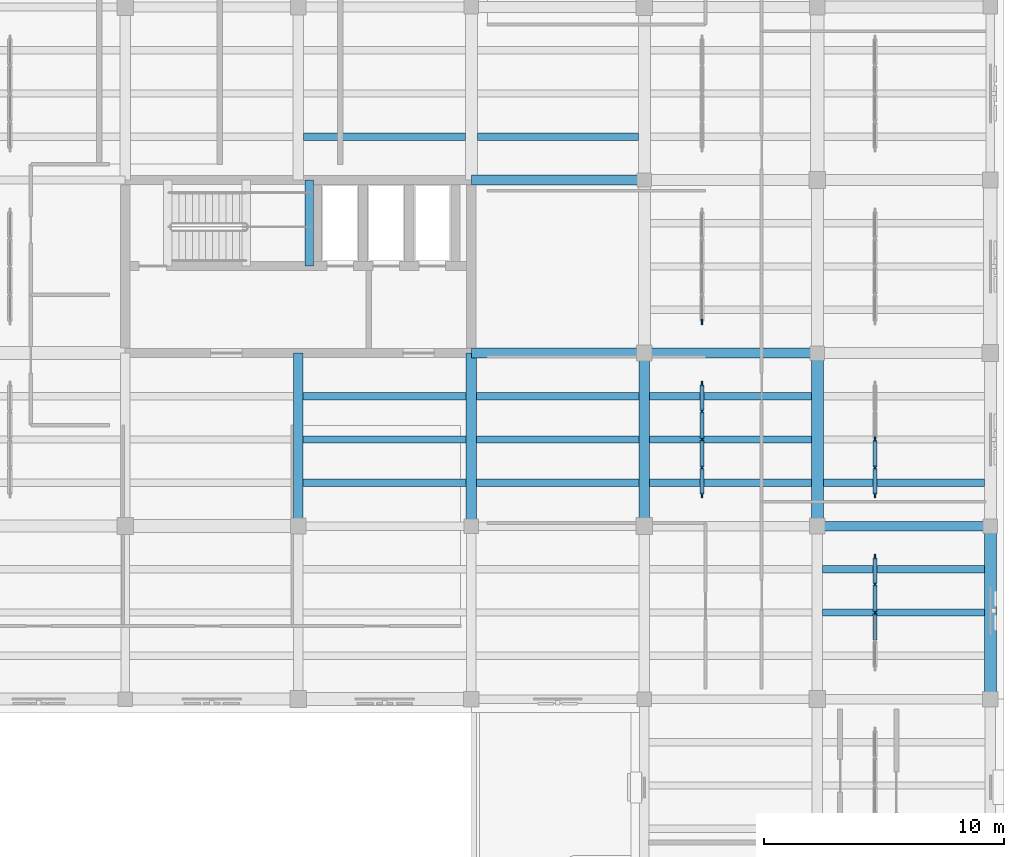
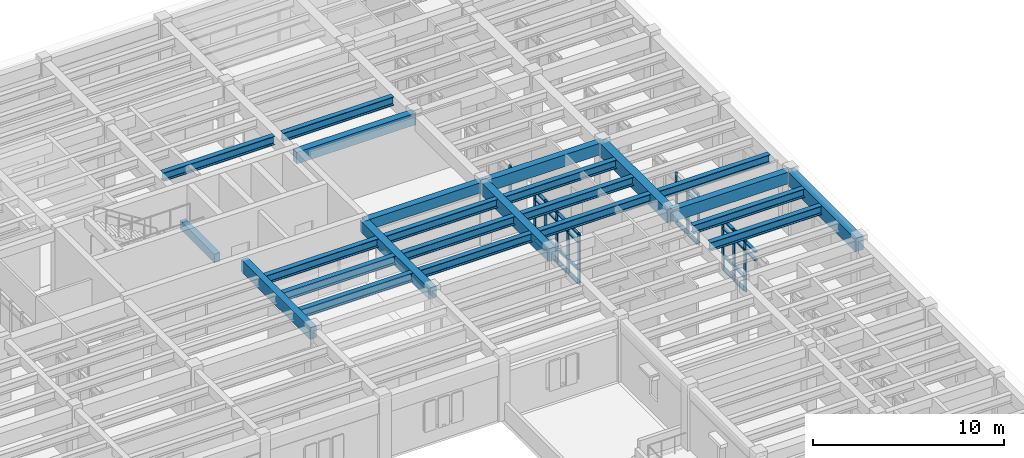
# One storey, part 9 of 40: 45 members, 24 beams, 4 elements without a shape of their own.
"""IFC4 building model written with IfcOpenShell, lengths in metres."""

from ifc_helpers import new_model, si_unit, direction, frame, origin, origin_2d, place, context, subcontext, project, spatial, rectangle, i_section, extrude, material, material_profile, profile_set, type_object, element, aggregate, save


model = new_model("IFC4")

# Units and contexts
model_context = context("Model", 3, precision=1e-05, world=origin(), true_north=direction((0.0, 1.0)))
body_context = subcontext(model_context, "Body", "Model", "MODEL_VIEW")
ifc_project = project(units=[si_unit("LENGTHUNIT", "METRE"), si_unit("AREAUNIT", "SQUARE_METRE"), si_unit("VOLUMEUNIT", "CUBIC_METRE"), si_unit("PLANEANGLEUNIT", "RADIAN"), si_unit("MASSUNIT", "GRAM", prefix="KILO")], contexts=[model_context])

# Site, building, storey
site_placement = place(None, origin())
site = spatial("IfcSite", under=ifc_project, at=site_placement, CompositionType="ELEMENT")
building_placement = place(site_placement, origin())
building = spatial("IfcBuilding", under=site, at=building_placement, Name="Mithqara Police Headquarters", CompositionType="ELEMENT")
storey_placement = place(building_placement, frame((0.0, 0.0, 13.800048828125)))
storey = spatial("IfcBuildingStorey", under=building, at=storey_placement, Name="L03", CompositionType="ELEMENT", Elevation=13.800048828125)

# Beams
ifc_material_1 = material(Name="Steel S355JR", Category="steel")
ifc_material_profile_1 = material_profile(ifc_material_1, i_section(OverallWidth=0.300048828125, OverallDepth=0.550048828125, WebThickness=0.014892578125, FlangeThickness=0.029052734375, FilletRadius=0.027099609375, at=origin_2d()), Name="HEB 550")
ifc_profile_set_1 = profile_set([ifc_material_profile_1], Name="Steel S355JR")
beam_type_1 = type_object("IfcBeamType", Name="BEAM HEB550", PredefinedType="BEAM", material=ifc_profile_set_1)
for number, where, z_axis, x_axis, name in (
    (1, (137.60009765625, 87.60009765625, 3.6650390625), (1.0, 0.0, 0.0), (0.0, 1.0, 0.0), "L03 Composite Steel Joist 20-21/N.1"),
    (2, (137.60009765625, 89.39990234375, 3.6650390625), (1.0, 0.0, 0.0), (0.0, 1.0, 0.0), "L03 Composite Steel Joist 20-21/N.2"),
    (3, (137.60009765625, 91.199951171875, 3.6650390625), (1.0, 0.0, 0.0), (0.0, 1.0, 0.0), "L03 Composite Steel Joist 20-21/N.3"),
):
    element("IfcBeam", number, at=place(storey_placement, frame(where, z_axis=z_axis, x_axis=x_axis)), inside=storey, type_object=beam_type_1, Name=name, PredefinedType="BEAM", context=body_context, shape_type="SweptSolid", body=[
        extrude(i_section(OverallWidth=0.300048828125, OverallDepth=0.550048828125, WebThickness=0.014892578125, FlangeThickness=0.029052734375, FilletRadius=0.027099609375, at=origin_2d()), origin(), (0.0, 0.0, 1.0), 6.77490234375),
    ])
beam_1_placement = place(storey_placement, frame((137.625, 102.0, 3.6650390625), z_axis=(1.0, 0.0, 0.0), x_axis=(0.0, 1.0, 0.0)))
element("IfcBeam", 4, at=beam_1_placement, inside=storey, type_object=beam_type_1, Name="L03 Composite Steel Joist 20-21/Q.1", PredefinedType="BEAM", context=body_context, shape_type="SweptSolid", body=[
    extrude(i_section(OverallWidth=0.300048828125, OverallDepth=0.550048828125, WebThickness=0.014892578125, FlangeThickness=0.029052734375, FilletRadius=0.027099609375, at=origin_2d()), origin(), (0.0, 0.0, 1.0), 6.72509765625),
])
for number, where, z_axis, x_axis, name in (
    (5, (144.824951171875, 87.60009765625, 3.6650390625), (1.0, 0.0, 0.0), (0.0, 1.0, 0.0), "L03 Composite Steel Joist 21-22/N.1"),
    (6, (144.824951171875, 89.39990234375, 3.6650390625), (1.0, 0.0, 0.0), (0.0, 1.0, 0.0), "L03 Composite Steel Joist 21-22/N.2"),
    (7, (144.824951171875, 91.199951171875, 3.6650390625), (1.0, 0.0, 0.0), (0.0, 1.0, 0.0), "L03 Composite Steel Joist 21-22/N.3"),
):
    element("IfcBeam", number, at=place(storey_placement, frame(where, z_axis=z_axis, x_axis=x_axis)), inside=storey, type_object=beam_type_1, Name=name, PredefinedType="BEAM", context=body_context, shape_type="SweptSolid", body=[
        extrude(i_section(OverallWidth=0.300048828125, OverallDepth=0.550048828125, WebThickness=0.014892578125, FlangeThickness=0.029052734375, FilletRadius=0.027099609375, at=origin_2d()), origin(), (0.0, 0.0, 1.0), 6.75),
    ])
beam_2_placement = place(storey_placement, frame((144.85009765625, 102.0, 3.6650390625), z_axis=(1.0, 0.0, 0.0), x_axis=(0.0, 1.0, 0.0)))
element("IfcBeam", 8, at=beam_2_placement, inside=storey, type_object=beam_type_1, Name="L03 Composite Steel Joist 21-22/Q.1", PredefinedType="BEAM", context=body_context, shape_type="SweptSolid", body=[
    extrude(i_section(OverallWidth=0.300048828125, OverallDepth=0.550048828125, WebThickness=0.014892578125, FlangeThickness=0.029052734375, FilletRadius=0.027099609375, at=origin_2d()), origin(), (0.0, 0.0, 1.0), 6.699951171875),
])
for number, where, z_axis, x_axis, name in (
    (9, (152.02490234375, 87.60009765625, 3.6650390625), (1.0, 0.0, 0.0), (0.0, 1.0, 0.0), "L03 Composite Steel Joist 22-23/N.1"),
    (10, (152.02490234375, 89.39990234375, 3.6650390625), (1.0, 0.0, 0.0), (0.0, 1.0, 0.0), "L03 Composite Steel Joist 22-23/N.2"),
    (11, (152.02490234375, 91.199951171875, 3.6650390625), (1.0, 0.0, 0.0), (0.0, 1.0, 0.0), "L03 Composite Steel Joist 22-23/N.3"),
):
    element("IfcBeam", number, at=place(storey_placement, frame(where, z_axis=z_axis, x_axis=x_axis)), inside=storey, type_object=beam_type_1, Name=name, PredefinedType="BEAM", context=body_context, shape_type="SweptSolid", body=[
        extrude(i_section(OverallWidth=0.300048828125, OverallDepth=0.550048828125, WebThickness=0.014892578125, FlangeThickness=0.029052734375, FilletRadius=0.027099609375, at=origin_2d()), origin(), (0.0, 0.0, 1.0), 6.72509765625),
    ])
for number, where, z_axis, x_axis, name in (
    (12, (159.22509765625, 82.199951171875, 3.6650390625), (1.0, 0.0, 0.0), (0.0, 1.0, 0.0), "L03 Composite Steel Joist 23-24/M.2"),
    (13, (159.22509765625, 84.0, 3.6650390625), (1.0, 0.0, 0.0), (0.0, 1.0, 0.0), "L03 Composite Steel Joist 23-24/M.3"),
):
    element("IfcBeam", number, at=place(storey_placement, frame(where, z_axis=z_axis, x_axis=x_axis)), inside=storey, type_object=beam_type_1, Name=name, PredefinedType="BEAM", context=body_context, shape_type="SweptSolid", body=[
        extrude(i_section(OverallWidth=0.300048828125, OverallDepth=0.550048828125, WebThickness=0.014892578125, FlangeThickness=0.029052734375, FilletRadius=0.027099609375, at=origin_2d()), origin(), (0.0, 0.0, 1.0), 6.724853515625),
    ])
beam_3_placement = place(storey_placement, frame((159.25, 87.60009765625, 3.6650390625), z_axis=(1.0, 0.0, 0.0), x_axis=(0.0, 1.0, 0.0)))
element("IfcBeam", 14, at=beam_3_placement, inside=storey, type_object=beam_type_1, Name="L03 Composite Steel Joist 23-24/N.1", PredefinedType="BEAM", context=body_context, shape_type="SweptSolid", body=[
    extrude(i_section(OverallWidth=0.300048828125, OverallDepth=0.550048828125, WebThickness=0.014892578125, FlangeThickness=0.029052734375, FilletRadius=0.027099609375, at=origin_2d()), origin(), (0.0, 0.0, 1.0), 6.699951171875),
])
ifc_material_2 = material(Name="Concrete C40/50", Category="concrete")
ifc_material_profile_2 = material_profile(ifc_material_2, rectangle(XDim=0.35009765625, YDim=0.550048828125, at=origin_2d()), Name="RC 350x550")
ifc_profile_set_2 = profile_set([ifc_material_profile_2], Name="Concrete C40/50")
beam_type_2 = type_object("IfcBeamType", Name="BEAM RC350X550", PredefinedType="BEAM", material=ifc_profile_set_2)
beam_4_placement = place(storey_placement, frame((137.85009765625, 96.6201171875, 1.635009765625), z_axis=(0.0, 1.0, 0.0), x_axis=(-1.0, 0.0, 0.0)))
element("IfcBeam", 15, at=beam_4_placement, inside=storey, type_object=beam_type_2, Name="L03 ST-02 Half-Landing Bearer LB", PredefinedType="BEAM", context=body_context, shape_type="SweptSolid", body=[
    extrude(rectangle(XDim=0.35009765625, YDim=0.550048828125, at=origin_2d()), origin(), (0.0, 0.0, 1.0), 3.579833984375),
])
ifc_material_profile_3 = material_profile(ifc_material_2, rectangle(XDim=0.39990234375, YDim=0.64990234375, at=origin_2d()), Name="RC 400x650")
ifc_profile_set_3 = profile_set([ifc_material_profile_3], Name="Concrete C40/50")
beam_type_3 = type_object("IfcBeamType", Name="BEAM RC400X650", PredefinedType="BEAM", material=ifc_profile_set_3)
beam_5_placement = place(storey_placement, frame((144.60009765625, 93.0, 3.614990234375), z_axis=(1.0, 0.0, 0.0), x_axis=(0.0, 1.0, 0.0)))
element("IfcBeam", 16, at=beam_5_placement, inside=storey, type_object=beam_type_3, Name="L03 Girder 21-22/P", PredefinedType="BEAM", context=body_context, shape_type="SweptSolid", body=[
    extrude(rectangle(XDim=0.39990234375, YDim=0.64990234375, at=origin_2d()), origin(), (0.0, 0.0, 1.0), 7.199951171875),
])
ifc_material_profile_4 = material_profile(ifc_material_2, rectangle(XDim=0.39990234375, YDim=0.75, at=origin_2d()), Name="RC 400x750")
ifc_profile_set_4 = profile_set([ifc_material_profile_4], Name="Concrete C40/50")
beam_type_4 = type_object("IfcBeamType", Name="BEAM RC400X750", PredefinedType="BEAM", material=ifc_profile_set_4)
for number, where, z_axis, x_axis, name in (
    (17, (137.39990234375, 85.800048828125, 3.56494140625), (0.0, 1.0, 0.0), (-1.0, 0.0, 0.0), "L03 Girder 20/N-P"),
    (18, (144.60009765625, 100.199951171875, 3.56494140625), (1.0, 0.0, 0.0), (0.0, 1.0, 0.0), "L03 Girder 21-22/Q"),
    (19, (151.800048828125, 93.0, 3.56494140625), (1.0, 0.0, 0.0), (0.0, 1.0, 0.0), "L03 Girder 22-23/P"),
    (20, (159.0, 85.800048828125, 3.56494140625), (1.0, 0.0, 0.0), (0.0, 1.0, 0.0), "L03 Girder 23-24/N"),
):
    element("IfcBeam", number, at=place(storey_placement, frame(where, z_axis=z_axis, x_axis=x_axis)), inside=storey, type_object=beam_type_4, Name=name, PredefinedType="BEAM", context=body_context, shape_type="SweptSolid", body=[
        extrude(rectangle(XDim=0.39990234375, YDim=0.75, at=origin_2d()), origin(), (0.0, 0.0, 1.0), 7.199951171875),
    ])
ifc_material_profile_5 = material_profile(ifc_material_2, rectangle(XDim=0.449951171875, YDim=0.699951171875, at=origin_2d()), Name="RC 450x700")
ifc_profile_set_5 = profile_set([ifc_material_profile_5], Name="Concrete C40/50")
beam_type_5 = type_object("IfcBeamType", Name="BEAM RC450X700", PredefinedType="BEAM", material=ifc_profile_set_5)
beam_6_placement = place(storey_placement, frame((144.60009765625, 85.800048828125, 3.58984375), z_axis=(0.0, 1.0, 0.0), x_axis=(-1.0, 0.0, 0.0)))
element("IfcBeam", 21, at=beam_6_placement, inside=storey, type_object=beam_type_5, Name="L03 Girder 21/N-P", PredefinedType="BEAM", context=body_context, shape_type="SweptSolid", body=[
    extrude(rectangle(XDim=0.449951171875, YDim=0.699951171875, at=origin_2d()), origin(), (0.0, 0.0, 1.0), 7.199951171875),
])
ifc_material_profile_6 = material_profile(ifc_material_2, rectangle(XDim=0.449951171875, YDim=0.800048828125, at=origin_2d()), Name="RC 450x800")
ifc_profile_set_6 = profile_set([ifc_material_profile_6], Name="Concrete C40/50")
beam_type_6 = type_object("IfcBeamType", Name="BEAM RC450X800", PredefinedType="BEAM", material=ifc_profile_set_6)
beam_7_placement = place(storey_placement, frame((151.800048828125, 85.800048828125, 3.5400390625), z_axis=(0.0, 1.0, 0.0), x_axis=(-1.0, 0.0, 0.0)))
element("IfcBeam", 22, at=beam_7_placement, inside=storey, type_object=beam_type_6, Name="L03 Girder 22/N-P", PredefinedType="BEAM", context=body_context, shape_type="SweptSolid", body=[
    extrude(rectangle(XDim=0.449951171875, YDim=0.800048828125, at=origin_2d()), origin(), (0.0, 0.0, 1.0), 7.199951171875),
])
ifc_material_profile_7 = material_profile(ifc_material_2, rectangle(XDim=0.5, YDim=0.85009765625, at=origin_2d()), Name="RC 500x850")
ifc_profile_set_7 = profile_set([ifc_material_profile_7], Name="Concrete C40/50")
beam_type_7 = type_object("IfcBeamType", Name="BEAM RC500X850", PredefinedType="BEAM", material=ifc_profile_set_7)
for number, where, z_axis, x_axis, name in (
    (23, (159.0, 85.800048828125, 3.514892578125), (0.0, 1.0, 0.0), (-1.0, 0.0, 0.0), "L03 Girder 23/N-P"),
    (24, (166.199951171875, 78.60009765625, 3.514892578125), (0.0, 1.0, 0.0), (-1.0, 0.0, 0.0), "L03 Girder 24/M-N"),
):
    element("IfcBeam", number, at=place(storey_placement, frame(where, z_axis=z_axis, x_axis=x_axis)), inside=storey, type_object=beam_type_7, Name=name, PredefinedType="BEAM", context=body_context, shape_type="SweptSolid", body=[
        extrude(rectangle(XDim=0.5, YDim=0.85009765625, at=origin_2d()), origin(), (0.0, 0.0, 1.0), 7.199951171875),
    ])

# Curtain wall, members
ifc_material_3 = material(Name="Bronze anodised aluminium 6063-T6", Category="aluminium")
curtain_wall_type = type_object("IfcCurtainWallType", Name="CURTAIN WALL 4700X3220", PredefinedType="USERDEFINED", material=ifc_material_3)
curtain_wall_1_placement = place(storey_placement, origin())
curtain_wall_1 = element("IfcCurtainWall", 25, at=curtain_wall_1_placement, inside=storey, type_object=curtain_wall_type, Name="L03 Unitised Glazing CW-16 (CW-INT-L03-X21-Y12-0)", ObjectType="UNITISED GLAZING", PredefinedType="USERDEFINED")
ifc_material_profile_8 = material_profile(ifc_material_3, rectangle(XDim=0.074951171875, YDim=0.219970703125, at=origin_2d()), Name="CWM 75x220")
ifc_profile_set_8 = profile_set([ifc_material_profile_8], Name="Bronze anodised aluminium 6063-T6")
member_type_1 = type_object("IfcMemberType", Name="CWMULLION 75X220", PredefinedType="MULLION", material=ifc_profile_set_8)
member_1_placement = place(storey_placement, frame((154.199951171875, 87.08740234375, 0.0), z_axis=(0.0, 0.0, 1.0), x_axis=(-1.0, 0.0, 0.0)))
member_1 = element("IfcMember", 26, at=member_1_placement, type_object=member_type_1, Name="CW-16 mullion 1", PredefinedType="MULLION", context=body_context, shape_type="SweptSolid", body=[
    extrude(rectangle(XDim=0.074951171875, YDim=0.219970703125, at=origin_2d()), origin(), (0.0, 0.0, 1.0), 3.219970703125),
])
member_2_placement = place(storey_placement, frame((154.199951171875, 88.22509765625, 0.0), z_axis=(0.0, 0.0, 1.0), x_axis=(-1.0, 0.0, 0.0)))
member_2 = element("IfcMember", 27, at=member_2_placement, type_object=member_type_1, Name="CW-16 mullion 2", PredefinedType="MULLION", context=body_context, shape_type="SweptSolid", body=[
    extrude(rectangle(XDim=0.074951171875, YDim=0.219970703125, at=origin_2d()), origin(), (0.0, 0.0, 1.0), 3.219970703125),
])
member_3_placement = place(storey_placement, frame((154.199951171875, 89.39990234375, 0.0), z_axis=(0.0, 0.0, 1.0), x_axis=(-1.0, 0.0, 0.0)))
member_3 = element("IfcMember", 28, at=member_3_placement, type_object=member_type_1, Name="CW-16 mullion 3", PredefinedType="MULLION", context=body_context, shape_type="SweptSolid", body=[
    extrude(rectangle(XDim=0.074951171875, YDim=0.219970703125, at=origin_2d()), origin(), (0.0, 0.0, 1.0), 3.219970703125),
])
member_4_placement = place(storey_placement, frame((154.199951171875, 90.574951171875, 0.0), z_axis=(0.0, 0.0, 1.0), x_axis=(-1.0, 0.0, 0.0)))
member_4 = element("IfcMember", 29, at=member_4_placement, type_object=member_type_1, Name="CW-16 mullion 4", PredefinedType="MULLION", context=body_context, shape_type="SweptSolid", body=[
    extrude(rectangle(XDim=0.074951171875, YDim=0.219970703125, at=origin_2d()), origin(), (0.0, 0.0, 1.0), 3.219970703125),
])
member_5_placement = place(storey_placement, frame((154.199951171875, 91.71240234375, 0.0), z_axis=(0.0, 0.0, 1.0), x_axis=(-1.0, 0.0, 0.0)))
member_5 = element("IfcMember", 30, at=member_5_placement, type_object=member_type_1, Name="CW-16 mullion 5", PredefinedType="MULLION", context=body_context, shape_type="SweptSolid", body=[
    extrude(rectangle(XDim=0.074951171875, YDim=0.219970703125, at=origin_2d()), origin(), (0.0, 0.0, 1.0), 3.219970703125),
])

# Curtain wall, member
curtain_wall_2_placement = place(storey_placement, origin())
curtain_wall_2 = element("IfcCurtainWall", 31, at=curtain_wall_2_placement, inside=storey, type_object=curtain_wall_type, Name="L03 Unitised Glazing CW-16 (CW-INT-L03-X21-Y13-0)", ObjectType="UNITISED GLAZING", PredefinedType="USERDEFINED")
member_6_placement = place(storey_placement, frame((154.199951171875, 94.28759765625, 0.0), z_axis=(0.0, 0.0, 1.0), x_axis=(-1.0, 0.0, 0.0)))
member_6 = element("IfcMember", 32, at=member_6_placement, type_object=member_type_1, Name="CW-16 mullion 1", PredefinedType="MULLION", context=body_context, shape_type="SweptSolid", body=[
    extrude(rectangle(XDim=0.074951171875, YDim=0.219970703125, at=origin_2d()), origin(), (0.0, 0.0, 1.0), 3.219970703125),
])
aggregate(curtain_wall_2, [member_6])

# Curtain wall, members
curtain_wall_3_placement = place(storey_placement, origin())
curtain_wall_3 = element("IfcCurtainWall", 33, at=curtain_wall_3_placement, inside=storey, type_object=curtain_wall_type, Name="L03 Unitised Glazing CW-16 (CW-INT-L03-X22-Y11-0)", ObjectType="UNITISED GLAZING", PredefinedType="USERDEFINED")
member_7_placement = place(storey_placement, frame((161.39990234375, 82.199951171875, 0.0), z_axis=(0.0, 0.0, 1.0), x_axis=(-1.0, 0.0, 0.0)))
member_7 = element("IfcMember", 34, at=member_7_placement, type_object=member_type_1, Name="CW-16 mullion 3", PredefinedType="MULLION", context=body_context, shape_type="SweptSolid", body=[
    extrude(rectangle(XDim=0.074951171875, YDim=0.219970703125, at=origin_2d()), origin(), (0.0, 0.0, 1.0), 3.219970703125),
])
member_8_placement = place(storey_placement, frame((161.39990234375, 83.375, 0.0), z_axis=(0.0, 0.0, 1.0), x_axis=(-1.0, 0.0, 0.0)))
member_8 = element("IfcMember", 35, at=member_8_placement, type_object=member_type_1, Name="CW-16 mullion 4", PredefinedType="MULLION", context=body_context, shape_type="SweptSolid", body=[
    extrude(rectangle(XDim=0.074951171875, YDim=0.219970703125, at=origin_2d()), origin(), (0.0, 0.0, 1.0), 3.219970703125),
])
member_9_placement = place(storey_placement, frame((161.39990234375, 84.512451171875, 0.0), z_axis=(0.0, 0.0, 1.0), x_axis=(-1.0, 0.0, 0.0)))
member_9 = element("IfcMember", 36, at=member_9_placement, type_object=member_type_1, Name="CW-16 mullion 5", PredefinedType="MULLION", context=body_context, shape_type="SweptSolid", body=[
    extrude(rectangle(XDim=0.074951171875, YDim=0.219970703125, at=origin_2d()), origin(), (0.0, 0.0, 1.0), 3.219970703125),
])

curtain_wall_4_placement = place(storey_placement, origin())
curtain_wall_4 = element("IfcCurtainWall", 37, at=curtain_wall_4_placement, inside=storey, type_object=curtain_wall_type, Name="L03 Unitised Glazing CW-16 (CW-INT-L03-X22-Y12-0)", ObjectType="UNITISED GLAZING", PredefinedType="USERDEFINED")
member_10_placement = place(storey_placement, frame((161.39990234375, 87.08740234375, 0.0), z_axis=(0.0, 0.0, 1.0), x_axis=(-1.0, 0.0, 0.0)))
member_10 = element("IfcMember", 38, at=member_10_placement, type_object=member_type_1, Name="CW-16 mullion 1", PredefinedType="MULLION", context=body_context, shape_type="SweptSolid", body=[
    extrude(rectangle(XDim=0.074951171875, YDim=0.219970703125, at=origin_2d()), origin(), (0.0, 0.0, 1.0), 3.219970703125),
])
member_11_placement = place(storey_placement, frame((161.39990234375, 88.22509765625, 0.0), z_axis=(0.0, 0.0, 1.0), x_axis=(-1.0, 0.0, 0.0)))
member_11 = element("IfcMember", 39, at=member_11_placement, type_object=member_type_1, Name="CW-16 mullion 2", PredefinedType="MULLION", context=body_context, shape_type="SweptSolid", body=[
    extrude(rectangle(XDim=0.074951171875, YDim=0.219970703125, at=origin_2d()), origin(), (0.0, 0.0, 1.0), 3.219970703125),
])
member_12_placement = place(storey_placement, frame((161.39990234375, 89.39990234375, 0.0), z_axis=(0.0, 0.0, 1.0), x_axis=(-1.0, 0.0, 0.0)))
member_12 = element("IfcMember", 40, at=member_12_placement, type_object=member_type_1, Name="CW-16 mullion 3", PredefinedType="MULLION", context=body_context, shape_type="SweptSolid", body=[
    extrude(rectangle(XDim=0.074951171875, YDim=0.219970703125, at=origin_2d()), origin(), (0.0, 0.0, 1.0), 3.219970703125),
])

# Member
ifc_material_profile_9 = material_profile(ifc_material_3, rectangle(XDim=0.179931640625, YDim=0.074951171875, at=origin_2d()), Name="CWT 180x75")
ifc_profile_set_9 = profile_set([ifc_material_profile_9], Name="Bronze anodised aluminium 6063-T6")
member_type_2 = type_object("IfcMemberType", Name="CWTRANSOM 180X75", PredefinedType="USERDEFINED", material=ifc_profile_set_9)
member_13_placement = place(storey_placement, frame((154.199951171875, 87.125, 0.037353515625), z_axis=(0.0, 1.0, 0.0), x_axis=(-1.0, 0.0, 0.0)))
member_13 = element("IfcMember", 41, at=member_13_placement, type_object=member_type_2, Name="CW-16 transom 1.1", ObjectType="TRANSOM", PredefinedType="USERDEFINED", context=body_context, shape_type="SweptSolid", body=[
    extrude(rectangle(XDim=0.179931640625, YDim=0.074951171875, at=origin_2d()), origin(), (0.0, 0.0, 1.0), 1.0625),
])

member_14_placement = place(storey_placement, frame((154.199951171875, 87.125, 0.89990234375), z_axis=(0.0, 1.0, 0.0), x_axis=(-1.0, 0.0, 0.0)))
member_14 = element("IfcMember", 42, at=member_14_placement, type_object=member_type_2, Name="CW-16 transom 1.2", ObjectType="TRANSOM", PredefinedType="USERDEFINED", context=body_context, shape_type="SweptSolid", body=[
    extrude(rectangle(XDim=0.179931640625, YDim=0.074951171875, at=origin_2d()), origin(), (0.0, 0.0, 1.0), 1.0625),
])

member_15_placement = place(storey_placement, frame((154.199951171875, 87.125, 2.669921875), z_axis=(0.0, 1.0, 0.0), x_axis=(-1.0, 0.0, 0.0)))
member_15 = element("IfcMember", 43, at=member_15_placement, type_object=member_type_2, Name="CW-16 transom 1.3", ObjectType="TRANSOM", PredefinedType="USERDEFINED", context=body_context, shape_type="SweptSolid", body=[
    extrude(rectangle(XDim=0.179931640625, YDim=0.074951171875, at=origin_2d()), origin(), (0.0, 0.0, 1.0), 1.0625),
])

member_16_placement = place(storey_placement, frame((154.199951171875, 87.125, 3.182373046875), z_axis=(0.0, 1.0, 0.0), x_axis=(-1.0, 0.0, 0.0)))
member_16 = element("IfcMember", 44, at=member_16_placement, type_object=member_type_2, Name="CW-16 transom 1.4", ObjectType="TRANSOM", PredefinedType="USERDEFINED", context=body_context, shape_type="SweptSolid", body=[
    extrude(rectangle(XDim=0.179931640625, YDim=0.074951171875, at=origin_2d()), origin(), (0.0, 0.0, 1.0), 1.0625),
])

member_17_placement = place(storey_placement, frame((154.199951171875, 88.262451171875, 0.037353515625), z_axis=(0.0, 1.0, 0.0), x_axis=(-1.0, 0.0, 0.0)))
member_17 = element("IfcMember", 45, at=member_17_placement, type_object=member_type_2, Name="CW-16 transom 2.1", ObjectType="TRANSOM", PredefinedType="USERDEFINED", context=body_context, shape_type="SweptSolid", body=[
    extrude(rectangle(XDim=0.179931640625, YDim=0.074951171875, at=origin_2d()), origin(), (0.0, 0.0, 1.0), 1.10009765625),
])

member_18_placement = place(storey_placement, frame((154.199951171875, 88.262451171875, 0.89990234375), z_axis=(0.0, 1.0, 0.0), x_axis=(-1.0, 0.0, 0.0)))
member_18 = element("IfcMember", 46, at=member_18_placement, type_object=member_type_2, Name="CW-16 transom 2.2", ObjectType="TRANSOM", PredefinedType="USERDEFINED", context=body_context, shape_type="SweptSolid", body=[
    extrude(rectangle(XDim=0.179931640625, YDim=0.074951171875, at=origin_2d()), origin(), (0.0, 0.0, 1.0), 1.10009765625),
])

member_19_placement = place(storey_placement, frame((154.199951171875, 88.262451171875, 2.669921875), z_axis=(0.0, 1.0, 0.0), x_axis=(-1.0, 0.0, 0.0)))
member_19 = element("IfcMember", 47, at=member_19_placement, type_object=member_type_2, Name="CW-16 transom 2.3", ObjectType="TRANSOM", PredefinedType="USERDEFINED", context=body_context, shape_type="SweptSolid", body=[
    extrude(rectangle(XDim=0.179931640625, YDim=0.074951171875, at=origin_2d()), origin(), (0.0, 0.0, 1.0), 1.10009765625),
])

member_20_placement = place(storey_placement, frame((154.199951171875, 88.262451171875, 3.182373046875), z_axis=(0.0, 1.0, 0.0), x_axis=(-1.0, 0.0, 0.0)))
member_20 = element("IfcMember", 48, at=member_20_placement, type_object=member_type_2, Name="CW-16 transom 2.4", ObjectType="TRANSOM", PredefinedType="USERDEFINED", context=body_context, shape_type="SweptSolid", body=[
    extrude(rectangle(XDim=0.179931640625, YDim=0.074951171875, at=origin_2d()), origin(), (0.0, 0.0, 1.0), 1.10009765625),
])

member_21_placement = place(storey_placement, frame((154.199951171875, 89.4375, 0.037353515625), z_axis=(0.0, 1.0, 0.0), x_axis=(-1.0, 0.0, 0.0)))
member_21 = element("IfcMember", 49, at=member_21_placement, type_object=member_type_2, Name="CW-16 transom 3.1", ObjectType="TRANSOM", PredefinedType="USERDEFINED", context=body_context, shape_type="SweptSolid", body=[
    extrude(rectangle(XDim=0.179931640625, YDim=0.074951171875, at=origin_2d()), origin(), (0.0, 0.0, 1.0), 1.10009765625),
])

member_22_placement = place(storey_placement, frame((154.199951171875, 89.4375, 0.89990234375), z_axis=(0.0, 1.0, 0.0), x_axis=(-1.0, 0.0, 0.0)))
member_22 = element("IfcMember", 50, at=member_22_placement, type_object=member_type_2, Name="CW-16 transom 3.2", ObjectType="TRANSOM", PredefinedType="USERDEFINED", context=body_context, shape_type="SweptSolid", body=[
    extrude(rectangle(XDim=0.179931640625, YDim=0.074951171875, at=origin_2d()), origin(), (0.0, 0.0, 1.0), 1.10009765625),
])

member_23_placement = place(storey_placement, frame((154.199951171875, 89.4375, 2.669921875), z_axis=(0.0, 1.0, 0.0), x_axis=(-1.0, 0.0, 0.0)))
member_23 = element("IfcMember", 51, at=member_23_placement, type_object=member_type_2, Name="CW-16 transom 3.3", ObjectType="TRANSOM", PredefinedType="USERDEFINED", context=body_context, shape_type="SweptSolid", body=[
    extrude(rectangle(XDim=0.179931640625, YDim=0.074951171875, at=origin_2d()), origin(), (0.0, 0.0, 1.0), 1.10009765625),
])

member_24_placement = place(storey_placement, frame((154.199951171875, 89.4375, 3.182373046875), z_axis=(0.0, 1.0, 0.0), x_axis=(-1.0, 0.0, 0.0)))
member_24 = element("IfcMember", 52, at=member_24_placement, type_object=member_type_2, Name="CW-16 transom 3.4", ObjectType="TRANSOM", PredefinedType="USERDEFINED", context=body_context, shape_type="SweptSolid", body=[
    extrude(rectangle(XDim=0.179931640625, YDim=0.074951171875, at=origin_2d()), origin(), (0.0, 0.0, 1.0), 1.10009765625),
])

member_25_placement = place(storey_placement, frame((154.199951171875, 90.612548828125, 0.037353515625), z_axis=(0.0, 1.0, 0.0), x_axis=(-1.0, 0.0, 0.0)))
member_25 = element("IfcMember", 53, at=member_25_placement, type_object=member_type_2, Name="CW-16 transom 4.1", ObjectType="TRANSOM", PredefinedType="USERDEFINED", context=body_context, shape_type="SweptSolid", body=[
    extrude(rectangle(XDim=0.179931640625, YDim=0.074951171875, at=origin_2d()), origin(), (0.0, 0.0, 1.0), 1.0625),
])

member_26_placement = place(storey_placement, frame((154.199951171875, 90.612548828125, 0.89990234375), z_axis=(0.0, 1.0, 0.0), x_axis=(-1.0, 0.0, 0.0)))
member_26 = element("IfcMember", 54, at=member_26_placement, type_object=member_type_2, Name="CW-16 transom 4.2", ObjectType="TRANSOM", PredefinedType="USERDEFINED", context=body_context, shape_type="SweptSolid", body=[
    extrude(rectangle(XDim=0.179931640625, YDim=0.074951171875, at=origin_2d()), origin(), (0.0, 0.0, 1.0), 1.0625),
])

member_27_placement = place(storey_placement, frame((154.199951171875, 90.612548828125, 2.669921875), z_axis=(0.0, 1.0, 0.0), x_axis=(-1.0, 0.0, 0.0)))
member_27 = element("IfcMember", 55, at=member_27_placement, type_object=member_type_2, Name="CW-16 transom 4.3", ObjectType="TRANSOM", PredefinedType="USERDEFINED", context=body_context, shape_type="SweptSolid", body=[
    extrude(rectangle(XDim=0.179931640625, YDim=0.074951171875, at=origin_2d()), origin(), (0.0, 0.0, 1.0), 1.0625),
])

member_28_placement = place(storey_placement, frame((154.199951171875, 90.612548828125, 3.182373046875), z_axis=(0.0, 1.0, 0.0), x_axis=(-1.0, 0.0, 0.0)))
member_28 = element("IfcMember", 56, at=member_28_placement, type_object=member_type_2, Name="CW-16 transom 4.4", ObjectType="TRANSOM", PredefinedType="USERDEFINED", context=body_context, shape_type="SweptSolid", body=[
    extrude(rectangle(XDim=0.179931640625, YDim=0.074951171875, at=origin_2d()), origin(), (0.0, 0.0, 1.0), 1.0625),
])

aggregate(curtain_wall_1, [member_1, member_2, member_3, member_4, member_5, member_13, member_14, member_15, member_16, member_17, member_18, member_19, member_20, member_21, member_22, member_23, member_24, member_25, member_26, member_27, member_28])

member_29_placement = place(storey_placement, frame((161.39990234375, 81.0625, 2.669921875), z_axis=(0.0, 1.0, 0.0), x_axis=(-1.0, 0.0, 0.0)))
member_29 = element("IfcMember", 57, at=member_29_placement, type_object=member_type_2, Name="CW-16 transom 2.3", ObjectType="TRANSOM", PredefinedType="USERDEFINED", context=body_context, shape_type="SweptSolid", body=[
    extrude(rectangle(XDim=0.179931640625, YDim=0.074951171875, at=origin_2d()), origin(), (0.0, 0.0, 1.0), 1.10009765625),
])

member_30_placement = place(storey_placement, frame((161.39990234375, 81.0625, 3.182373046875), z_axis=(0.0, 1.0, 0.0), x_axis=(-1.0, 0.0, 0.0)))
member_30 = element("IfcMember", 58, at=member_30_placement, type_object=member_type_2, Name="CW-16 transom 2.4", ObjectType="TRANSOM", PredefinedType="USERDEFINED", context=body_context, shape_type="SweptSolid", body=[
    extrude(rectangle(XDim=0.179931640625, YDim=0.074951171875, at=origin_2d()), origin(), (0.0, 0.0, 1.0), 1.10009765625),
])

member_31_placement = place(storey_placement, frame((161.39990234375, 82.237548828125, 0.037353515625), z_axis=(0.0, 1.0, 0.0), x_axis=(-1.0, 0.0, 0.0)))
member_31 = element("IfcMember", 59, at=member_31_placement, type_object=member_type_2, Name="CW-16 transom 3.1", ObjectType="TRANSOM", PredefinedType="USERDEFINED", context=body_context, shape_type="SweptSolid", body=[
    extrude(rectangle(XDim=0.179931640625, YDim=0.074951171875, at=origin_2d()), origin(), (0.0, 0.0, 1.0), 1.099853515625),
])

member_32_placement = place(storey_placement, frame((161.39990234375, 82.237548828125, 0.89990234375), z_axis=(0.0, 1.0, 0.0), x_axis=(-1.0, 0.0, 0.0)))
member_32 = element("IfcMember", 60, at=member_32_placement, type_object=member_type_2, Name="CW-16 transom 3.2", ObjectType="TRANSOM", PredefinedType="USERDEFINED", context=body_context, shape_type="SweptSolid", body=[
    extrude(rectangle(XDim=0.179931640625, YDim=0.074951171875, at=origin_2d()), origin(), (0.0, 0.0, 1.0), 1.099853515625),
])

member_33_placement = place(storey_placement, frame((161.39990234375, 82.237548828125, 2.669921875), z_axis=(0.0, 1.0, 0.0), x_axis=(-1.0, 0.0, 0.0)))
member_33 = element("IfcMember", 61, at=member_33_placement, type_object=member_type_2, Name="CW-16 transom 3.3", ObjectType="TRANSOM", PredefinedType="USERDEFINED", context=body_context, shape_type="SweptSolid", body=[
    extrude(rectangle(XDim=0.179931640625, YDim=0.074951171875, at=origin_2d()), origin(), (0.0, 0.0, 1.0), 1.099853515625),
])

member_34_placement = place(storey_placement, frame((161.39990234375, 82.237548828125, 3.182373046875), z_axis=(0.0, 1.0, 0.0), x_axis=(-1.0, 0.0, 0.0)))
member_34 = element("IfcMember", 62, at=member_34_placement, type_object=member_type_2, Name="CW-16 transom 3.4", ObjectType="TRANSOM", PredefinedType="USERDEFINED", context=body_context, shape_type="SweptSolid", body=[
    extrude(rectangle(XDim=0.179931640625, YDim=0.074951171875, at=origin_2d()), origin(), (0.0, 0.0, 1.0), 1.099853515625),
])

member_35_placement = place(storey_placement, frame((161.39990234375, 83.41259765625, 0.037353515625), z_axis=(0.0, 1.0, 0.0), x_axis=(-1.0, 0.0, 0.0)))
member_35 = element("IfcMember", 63, at=member_35_placement, type_object=member_type_2, Name="CW-16 transom 4.1", ObjectType="TRANSOM", PredefinedType="USERDEFINED", context=body_context, shape_type="SweptSolid", body=[
    extrude(rectangle(XDim=0.179931640625, YDim=0.074951171875, at=origin_2d()), origin(), (0.0, 0.0, 1.0), 1.0625),
])

member_36_placement = place(storey_placement, frame((161.39990234375, 83.41259765625, 0.89990234375), z_axis=(0.0, 1.0, 0.0), x_axis=(-1.0, 0.0, 0.0)))
member_36 = element("IfcMember", 64, at=member_36_placement, type_object=member_type_2, Name="CW-16 transom 4.2", ObjectType="TRANSOM", PredefinedType="USERDEFINED", context=body_context, shape_type="SweptSolid", body=[
    extrude(rectangle(XDim=0.179931640625, YDim=0.074951171875, at=origin_2d()), origin(), (0.0, 0.0, 1.0), 1.0625),
])

member_37_placement = place(storey_placement, frame((161.39990234375, 83.41259765625, 2.669921875), z_axis=(0.0, 1.0, 0.0), x_axis=(-1.0, 0.0, 0.0)))
member_37 = element("IfcMember", 65, at=member_37_placement, type_object=member_type_2, Name="CW-16 transom 4.3", ObjectType="TRANSOM", PredefinedType="USERDEFINED", context=body_context, shape_type="SweptSolid", body=[
    extrude(rectangle(XDim=0.179931640625, YDim=0.074951171875, at=origin_2d()), origin(), (0.0, 0.0, 1.0), 1.0625),
])

member_38_placement = place(storey_placement, frame((161.39990234375, 83.41259765625, 3.182373046875), z_axis=(0.0, 1.0, 0.0), x_axis=(-1.0, 0.0, 0.0)))
member_38 = element("IfcMember", 66, at=member_38_placement, type_object=member_type_2, Name="CW-16 transom 4.4", ObjectType="TRANSOM", PredefinedType="USERDEFINED", context=body_context, shape_type="SweptSolid", body=[
    extrude(rectangle(XDim=0.179931640625, YDim=0.074951171875, at=origin_2d()), origin(), (0.0, 0.0, 1.0), 1.0625),
])

aggregate(curtain_wall_3, [member_7, member_8, member_9, member_29, member_30, member_31, member_32, member_33, member_34, member_35, member_36, member_37, member_38])

member_39_placement = place(storey_placement, frame((161.39990234375, 87.125, 0.037353515625), z_axis=(0.0, 1.0, 0.0), x_axis=(-1.0, 0.0, 0.0)))
member_39 = element("IfcMember", 67, at=member_39_placement, type_object=member_type_2, Name="CW-16 transom 1.1", ObjectType="TRANSOM", PredefinedType="USERDEFINED", context=body_context, shape_type="SweptSolid", body=[
    extrude(rectangle(XDim=0.179931640625, YDim=0.074951171875, at=origin_2d()), origin(), (0.0, 0.0, 1.0), 1.0625),
])

member_40_placement = place(storey_placement, frame((161.39990234375, 87.125, 0.89990234375), z_axis=(0.0, 1.0, 0.0), x_axis=(-1.0, 0.0, 0.0)))
member_40 = element("IfcMember", 68, at=member_40_placement, type_object=member_type_2, Name="CW-16 transom 1.2", ObjectType="TRANSOM", PredefinedType="USERDEFINED", context=body_context, shape_type="SweptSolid", body=[
    extrude(rectangle(XDim=0.179931640625, YDim=0.074951171875, at=origin_2d()), origin(), (0.0, 0.0, 1.0), 1.0625),
])

member_41_placement = place(storey_placement, frame((161.39990234375, 87.125, 2.669921875), z_axis=(0.0, 1.0, 0.0), x_axis=(-1.0, 0.0, 0.0)))
member_41 = element("IfcMember", 69, at=member_41_placement, type_object=member_type_2, Name="CW-16 transom 1.3", ObjectType="TRANSOM", PredefinedType="USERDEFINED", context=body_context, shape_type="SweptSolid", body=[
    extrude(rectangle(XDim=0.179931640625, YDim=0.074951171875, at=origin_2d()), origin(), (0.0, 0.0, 1.0), 1.0625),
])

member_42_placement = place(storey_placement, frame((161.39990234375, 87.125, 3.182373046875), z_axis=(0.0, 1.0, 0.0), x_axis=(-1.0, 0.0, 0.0)))
member_42 = element("IfcMember", 70, at=member_42_placement, type_object=member_type_2, Name="CW-16 transom 1.4", ObjectType="TRANSOM", PredefinedType="USERDEFINED", context=body_context, shape_type="SweptSolid", body=[
    extrude(rectangle(XDim=0.179931640625, YDim=0.074951171875, at=origin_2d()), origin(), (0.0, 0.0, 1.0), 1.0625),
])

member_43_placement = place(storey_placement, frame((161.39990234375, 88.262451171875, 0.037353515625), z_axis=(0.0, 1.0, 0.0), x_axis=(-1.0, 0.0, 0.0)))
member_43 = element("IfcMember", 71, at=member_43_placement, type_object=member_type_2, Name="CW-16 transom 2.1", ObjectType="TRANSOM", PredefinedType="USERDEFINED", context=body_context, shape_type="SweptSolid", body=[
    extrude(rectangle(XDim=0.179931640625, YDim=0.074951171875, at=origin_2d()), origin(), (0.0, 0.0, 1.0), 1.10009765625),
])

member_44_placement = place(storey_placement, frame((161.39990234375, 88.262451171875, 0.89990234375), z_axis=(0.0, 1.0, 0.0), x_axis=(-1.0, 0.0, 0.0)))
member_44 = element("IfcMember", 72, at=member_44_placement, type_object=member_type_2, Name="CW-16 transom 2.2", ObjectType="TRANSOM", PredefinedType="USERDEFINED", context=body_context, shape_type="SweptSolid", body=[
    extrude(rectangle(XDim=0.179931640625, YDim=0.074951171875, at=origin_2d()), origin(), (0.0, 0.0, 1.0), 1.10009765625),
])

member_45_placement = place(storey_placement, frame((161.39990234375, 88.262451171875, 2.669921875), z_axis=(0.0, 1.0, 0.0), x_axis=(-1.0, 0.0, 0.0)))
member_45 = element("IfcMember", 73, at=member_45_placement, type_object=member_type_2, Name="CW-16 transom 2.3", ObjectType="TRANSOM", PredefinedType="USERDEFINED", context=body_context, shape_type="SweptSolid", body=[
    extrude(rectangle(XDim=0.179931640625, YDim=0.074951171875, at=origin_2d()), origin(), (0.0, 0.0, 1.0), 1.10009765625),
])

aggregate(curtain_wall_4, [member_10, member_11, member_12, member_39, member_40, member_41, member_42, member_43, member_44, member_45])

save(model, "model.ifc")
